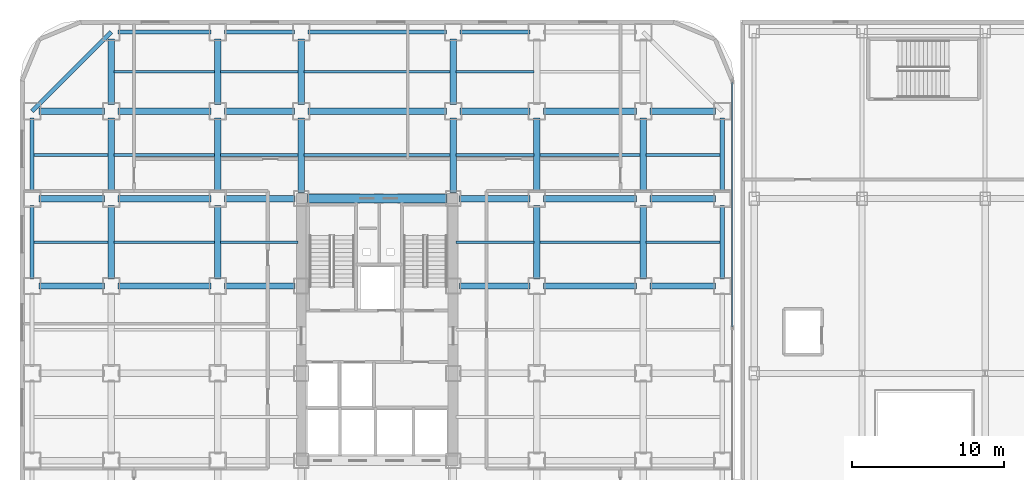
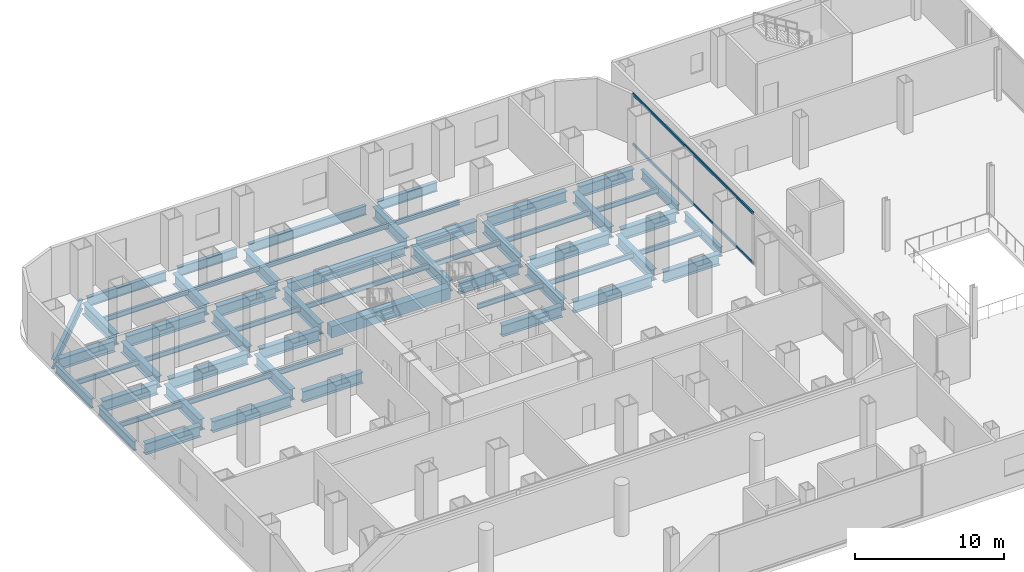
# One storey, part 13 of 26: 60 beams, 2 members, 1 element without a shape of its own.
"""IFC4 building model written with IfcOpenShell, lengths in metres."""

from ifc_helpers import new_model, si_unit, direction, frame, origin, origin_2d, place, context, subcontext, project, spatial, rectangle, hollow_rectangle, i_section, extrude, source, transform, mapped, material, layer, layer_set, material_profile, profile_set, type_object, element, aggregate, save


model = new_model("IFC4")

# Units and contexts
model_context = context("Model", 3, precision=1e-05, world=origin(), true_north=direction((0.0, 1.0)))
body_context = subcontext(model_context, "Body", "Model", "MODEL_VIEW")
ifc_project = project(units=[si_unit("LENGTHUNIT", "METRE"), si_unit("AREAUNIT", "SQUARE_METRE"), si_unit("VOLUMEUNIT", "CUBIC_METRE"), si_unit("PLANEANGLEUNIT", "RADIAN"), si_unit("MASSUNIT", "GRAM", prefix="KILO")], contexts=[model_context])

# Site, building, storey
site_placement = place(None, origin())
site = spatial("IfcSite", under=ifc_project, at=site_placement, CompositionType="ELEMENT")
building_placement = place(site_placement, origin())
building = spatial("IfcBuilding", under=site, at=building_placement, Name="Kolveth Station Tower", CompositionType="ELEMENT")
storey_placement = place(building_placement, frame((0.0, 0.0, 4.5)))
storey = spatial("IfcBuildingStorey", under=building, at=storey_placement, Name="L01", CompositionType="ELEMENT", Elevation=4.5)

# Beams
ifc_material_1 = material(Name="Steel S355", Category="steel")
ifc_material_profile_1 = material_profile(ifc_material_1, i_section(OverallWidth=0.26904296875, OverallDepth=0.77490234375, WebThickness=0.01708984375, FlangeThickness=0.0283203125, at=origin_2d()), Name="W760x220")
ifc_profile_set_1 = profile_set([ifc_material_profile_1], Name="Steel S355")
beam_type_1 = type_object("IfcBeamType", Name="Beam_SP1", PredefinedType="SPANDREL", material=ifc_profile_set_1)
shared_shape_1 = source(origin(), body_context, "Body", "SweptSolid", [
    extrude(i_section(OverallWidth=0.26904296875, OverallDepth=0.77490234375, WebThickness=0.01708984375, FlangeThickness=0.0283203125, at=origin_2d()), origin(), (0.0, 0.0, 1.0), 6.10009765625),
])
beam_1_placement = place(storey_placement, frame((6.449951171875, 39.699951171875, -0.70751953125), z_axis=(1.0, 0.0, 0.0), x_axis=(0.0, 1.0, 0.0)))
element("IfcBeam", 1, at=beam_1_placement, inside=storey, type_object=beam_type_1, Name="L01 Perimeter Spandrel BM-L01-PN-1", PredefinedType="SPANDREL", context=body_context, shape_type="MappedRepresentation", body=[
    mapped(shared_shape_1, transform((0.0, 0.0, 0.0), x_axis=(1.0, 0.0, 0.0), y_axis=(0.0, 1.0, 0.0), z_axis=(0.0, 0.0, 1.0), scale=1.0)),
])
shared_shape_2 = source(origin(), body_context, "Body", "SweptSolid", [
    extrude(i_section(OverallWidth=0.26904296875, OverallDepth=0.77490234375, WebThickness=0.01708984375, FlangeThickness=0.0283203125, at=origin_2d()), origin(), (0.0, 0.0, 1.0), 4.60009765625),
])
for number, where, z_axis, x_axis, name in (
    (2, (13.449951171875, 39.699951171875, -0.70751953125), (1.0, 0.0, 0.0), (0.0, 1.0, 0.0), "L01 Perimeter Spandrel BM-L01-PN-2"),
    (3, (28.949951171875, 39.699951171875, -0.70751953125), (1.0, 0.0, 0.0), (0.0, 1.0, 0.0), "L01 Perimeter Spandrel BM-L01-PN-4"),
):
    element("IfcBeam", number, at=place(storey_placement, frame(where, z_axis=z_axis, x_axis=x_axis)), inside=storey, type_object=beam_type_1, Name=name, PredefinedType="SPANDREL", context=body_context, shape_type="MappedRepresentation", body=[
        mapped(shared_shape_2, transform((0.0, 0.0, 0.0), x_axis=(1.0, 0.0, 0.0), y_axis=(0.0, 1.0, 0.0), z_axis=(0.0, 0.0, 1.0), scale=1.0)),
    ])
shared_shape_3 = source(origin(), body_context, "Body", "SweptSolid", [
    extrude(i_section(OverallWidth=0.26904296875, OverallDepth=0.77490234375, WebThickness=0.01708984375, FlangeThickness=0.0283203125, at=origin_2d()), origin(), (0.0, 0.0, 1.0), 9.10009765625),
])
beam_2_placement = place(storey_placement, frame((18.949951171875, 39.699951171875, -0.70751953125), z_axis=(1.0, 0.0, 0.0), x_axis=(0.0, 1.0, 0.0)))
element("IfcBeam", 4, at=beam_2_placement, inside=storey, type_object=beam_type_1, Name="L01 Perimeter Spandrel BM-L01-PN-3", PredefinedType="SPANDREL", context=body_context, shape_type="MappedRepresentation", body=[
    mapped(shared_shape_3, transform((0.0, 0.0, 0.0), x_axis=(1.0, 0.0, 0.0), y_axis=(0.0, 1.0, 0.0), z_axis=(0.0, 0.0, 1.0), scale=1.0)),
])
shared_shape_4 = source(origin(), body_context, "Body", "SweptSolid", [
    extrude(i_section(OverallWidth=0.26904296875, OverallDepth=0.77490234375, WebThickness=0.01708984375, FlangeThickness=0.0283203125, at=origin_2d()), origin(), (0.0, 0.0, 1.0), 4.85009765625),
])
for number, where, z_axis, x_axis, name in (
    (5, (0.800048828125, 23.449951171875, -0.70751953125), (0.0, 1.0, 0.0), (-1.0, 0.0, 0.0), "L01 Perimeter Spandrel BM-L01-PW-4"),
    (6, (0.800048828125, 29.199951171875, -0.70751953125), (0.0, 1.0, 0.0), (-1.0, 0.0, 0.0), "L01 Perimeter Spandrel BM-L01-PW-5"),
    (7, (46.199951171875, 23.449951171875, -0.70751953125), (0.0, 1.0, 0.0), (-1.0, 0.0, 0.0), "L01 Perimeter Spandrel BM-L01-PE-4"),
    (8, (46.199951171875, 29.199951171875, -0.70751953125), (0.0, 1.0, 0.0), (-1.0, 0.0, 0.0), "L01 Perimeter Spandrel BM-L01-PE-5"),
):
    element("IfcBeam", number, at=place(storey_placement, frame(where, z_axis=z_axis, x_axis=x_axis)), inside=storey, type_object=beam_type_1, Name=name, PredefinedType="SPANDREL", context=body_context, shape_type="MappedRepresentation", body=[
        mapped(shared_shape_4, transform((0.0, 0.0, 0.0), x_axis=(1.0, 0.0, 0.0), y_axis=(0.0, 1.0, 0.0), z_axis=(0.0, 0.0, 1.0), scale=1.0)),
    ])
shared_shape_5 = source(origin(), body_context, "Body", "SweptSolid", [
    extrude(i_section(OverallWidth=0.26904296875, OverallDepth=0.77490234375, WebThickness=0.01708984375, FlangeThickness=0.0283203125, at=origin_2d()), origin(), (0.0, 0.0, 1.0), 7.353759765625),
])
beam_3_placement = place(storey_placement, frame((6.0, 39.699951171875, -0.70751953125), z_axis=(-0.707106781187, -0.707106781187, 0.0), x_axis=(0.707106781187, -0.707106781187, 0.0)))
element("IfcBeam", 9, at=beam_3_placement, inside=storey, type_object=beam_type_1, Name="L01 Corner Edge Girder BM-L01-CNR-NW", PredefinedType="SPANDREL", context=body_context, shape_type="MappedRepresentation", body=[
    mapped(shared_shape_5, transform((0.0, 0.0, 0.0), x_axis=(1.0, 0.0, 0.0), y_axis=(0.0, 1.0, 0.0), z_axis=(0.0, 0.0, 1.0), scale=1.0)),
])
ifc_material_profile_2 = material_profile(ifc_material_1, i_section(OverallWidth=0.41796875, OverallDepth=0.912109375, WebThickness=0.019287109375, FlangeThickness=0.031982421875, at=origin_2d()), Name="W920x342")
ifc_profile_set_2 = profile_set([ifc_material_profile_2], Name="Steel S355")
beam_type_2 = type_object("IfcBeamType", Name="Beam_B1", PredefinedType="BEAM", material=ifc_profile_set_2)
shared_shape_6 = source(origin(), body_context, "Body", "SweptSolid", [
    extrude(i_section(OverallWidth=0.41796875, OverallDepth=0.912109375, WebThickness=0.019287109375, FlangeThickness=0.031982421875, at=origin_2d()), origin(), (0.0, 0.0, 1.0), 4.300048828125),
])
for number, where, z_axis, x_axis, name in (
    (10, (1.25, 23.0, -0.77587890625), (1.0, 0.0, 0.0), (0.0, 1.0, 0.0), "L01 Primary Girder BM-L01-GY230-1"),
    (11, (41.449951171875, 23.0, -0.77587890625), (1.0, 0.0, 0.0), (0.0, 1.0, 0.0), "L01 Primary Girder BM-L01-GY230-7"),
    (12, (1.25, 28.75, -0.77587890625), (1.0, 0.0, 0.0), (0.0, 1.0, 0.0), "L01 Primary Girder BM-L01-GY287-1"),
    (13, (41.449951171875, 28.75, -0.77587890625), (1.0, 0.0, 0.0), (0.0, 1.0, 0.0), "L01 Primary Girder BM-L01-GY287-7"),
    (14, (1.25, 34.5, -0.77587890625), (1.0, 0.0, 0.0), (0.0, 1.0, 0.0), "L01 Primary Girder BM-L01-GY345-1"),
    (15, (41.449951171875, 34.5, -0.77587890625), (1.0, 0.0, 0.0), (0.0, 1.0, 0.0), "L01 Primary Girder BM-L01-GY345-7"),
    (16, (6.0, 34.949951171875, -0.77587890625), (0.0, 1.0, 0.0), (-1.0, 0.0, 0.0), "L01 Primary Girder BM-L01-GX60-7"),
    (17, (13.0, 34.949951171875, -0.77587890625), (0.0, 1.0, 0.0), (-1.0, 0.0, 0.0), "L01 Primary Girder BM-L01-GX130-7"),
    (18, (18.5, 34.949951171875, -0.77587890625), (0.0, 1.0, 0.0), (-1.0, 0.0, 0.0), "L01 Primary Girder BM-L01-GX185-7"),
    (19, (28.5, 34.949951171875, -0.77587890625), (0.0, 1.0, 0.0), (-1.0, 0.0, 0.0), "L01 Primary Girder BM-L01-GX285-7"),
):
    element("IfcBeam", number, at=place(storey_placement, frame(where, z_axis=z_axis, x_axis=x_axis)), inside=storey, type_object=beam_type_2, Name=name, PredefinedType="BEAM", context=body_context, shape_type="MappedRepresentation", body=[
        mapped(shared_shape_6, transform((0.0, 0.0, 0.0), x_axis=(1.0, 0.0, 0.0), y_axis=(0.0, 1.0, 0.0), z_axis=(0.0, 0.0, 1.0), scale=1.0)),
    ])
shared_shape_7 = source(origin(), body_context, "Body", "SweptSolid", [
    extrude(i_section(OverallWidth=0.41796875, OverallDepth=0.912109375, WebThickness=0.019287109375, FlangeThickness=0.031982421875, at=origin_2d()), origin(), (0.0, 0.0, 1.0), 6.10009765625),
])
for number, where, z_axis, x_axis, name in (
    (20, (6.449951171875, 23.0, -0.77587890625), (1.0, 0.0, 0.0), (0.0, 1.0, 0.0), "L01 Primary Girder BM-L01-GY230-2"),
    (21, (34.449951171875, 23.0, -0.77587890625), (1.0, 0.0, 0.0), (0.0, 1.0, 0.0), "L01 Primary Girder BM-L01-GY230-6"),
    (22, (6.449951171875, 28.75, -0.77587890625), (1.0, 0.0, 0.0), (0.0, 1.0, 0.0), "L01 Primary Girder BM-L01-GY287-2"),
    (23, (34.449951171875, 28.75, -0.77587890625), (1.0, 0.0, 0.0), (0.0, 1.0, 0.0), "L01 Primary Girder BM-L01-GY287-6"),
    (24, (6.449951171875, 34.5, -0.77587890625), (1.0, 0.0, 0.0), (0.0, 1.0, 0.0), "L01 Primary Girder BM-L01-GY345-2"),
    (25, (34.449951171875, 34.5, -0.77587890625), (1.0, 0.0, 0.0), (0.0, 1.0, 0.0), "L01 Primary Girder BM-L01-GY345-6"),
):
    element("IfcBeam", number, at=place(storey_placement, frame(where, z_axis=z_axis, x_axis=x_axis)), inside=storey, type_object=beam_type_2, Name=name, PredefinedType="BEAM", context=body_context, shape_type="MappedRepresentation", body=[
        mapped(shared_shape_7, transform((0.0, 0.0, 0.0), x_axis=(1.0, 0.0, 0.0), y_axis=(0.0, 1.0, 0.0), z_axis=(0.0, 0.0, 1.0), scale=1.0)),
    ])
shared_shape_8 = source(origin(), body_context, "Body", "SweptSolid", [
    extrude(i_section(OverallWidth=0.41796875, OverallDepth=0.912109375, WebThickness=0.019287109375, FlangeThickness=0.031982421875, at=origin_2d()), origin(), (0.0, 0.0, 1.0), 4.60009765625),
])
for number, where, z_axis, x_axis, name in (
    (26, (13.449951171875, 34.5, -0.77587890625), (1.0, 0.0, 0.0), (0.0, 1.0, 0.0), "L01 Primary Girder BM-L01-GY345-3"),
    (27, (28.949951171875, 34.5, -0.77587890625), (1.0, 0.0, 0.0), (0.0, 1.0, 0.0), "L01 Primary Girder BM-L01-GY345-5"),
):
    element("IfcBeam", number, at=place(storey_placement, frame(where, z_axis=z_axis, x_axis=x_axis)), inside=storey, type_object=beam_type_2, Name=name, PredefinedType="BEAM", context=body_context, shape_type="MappedRepresentation", body=[
        mapped(shared_shape_8, transform((0.0, 0.0, 0.0), x_axis=(1.0, 0.0, 0.0), y_axis=(0.0, 1.0, 0.0), z_axis=(0.0, 0.0, 1.0), scale=1.0)),
    ])
shared_shape_9 = source(origin(), body_context, "Body", "SweptSolid", [
    extrude(i_section(OverallWidth=0.41796875, OverallDepth=0.912109375, WebThickness=0.019287109375, FlangeThickness=0.031982421875, at=origin_2d()), origin(), (0.0, 0.0, 1.0), 9.10009765625),
])
beam_4_placement = place(storey_placement, frame((18.949951171875, 34.5, -0.77587890625), z_axis=(1.0, 0.0, 0.0), x_axis=(0.0, 1.0, 0.0)))
element("IfcBeam", 28, at=beam_4_placement, inside=storey, type_object=beam_type_2, Name="L01 Primary Girder BM-L01-GY345-4", PredefinedType="BEAM", context=body_context, shape_type="MappedRepresentation", body=[
    mapped(shared_shape_9, transform((0.0, 0.0, 0.0), x_axis=(1.0, 0.0, 0.0), y_axis=(0.0, 1.0, 0.0), z_axis=(0.0, 0.0, 1.0), scale=1.0)),
])
shared_shape_10 = source(origin(), body_context, "Body", "SweptSolid", [
    extrude(i_section(OverallWidth=0.41796875, OverallDepth=0.912109375, WebThickness=0.019287109375, FlangeThickness=0.031982421875, at=origin_2d()), origin(), (0.0, 0.0, 1.0), 4.650146484375),
])
for number, where, z_axis, x_axis, name in (
    (29, (13.449951171875, 23.0, -0.77587890625), (1.0, 0.0, 0.0), (0.0, 1.0, 0.0), "L01 Primary Girder BM-L01-GY230-3"),
    (30, (28.89990234375, 23.0, -0.77587890625), (1.0, 0.0, 0.0), (0.0, 1.0, 0.0), "L01 Primary Girder BM-L01-GY230-5"),
    (31, (13.449951171875, 28.75, -0.77587890625), (1.0, 0.0, 0.0), (0.0, 1.0, 0.0), "L01 Primary Girder BM-L01-GY287-3"),
    (32, (28.89990234375, 28.75, -0.77587890625), (1.0, 0.0, 0.0), (0.0, 1.0, 0.0), "L01 Primary Girder BM-L01-GY287-5"),
):
    element("IfcBeam", number, at=place(storey_placement, frame(where, z_axis=z_axis, x_axis=x_axis)), inside=storey, type_object=beam_type_2, Name=name, PredefinedType="BEAM", context=body_context, shape_type="MappedRepresentation", body=[
        mapped(shared_shape_10, transform((0.0, 0.0, 0.0), x_axis=(1.0, 0.0, 0.0), y_axis=(0.0, 1.0, 0.0), z_axis=(0.0, 0.0, 1.0), scale=1.0)),
    ])
ifc_material_2 = material(Name="Concrete C60/75", Category="concrete")
ifc_material_profile_3 = material_profile(ifc_material_2, rectangle(XDim=0.60009765625, YDim=0.949951171875, at=origin_2d()), Name="RC-600x950")
ifc_profile_set_3 = profile_set([ifc_material_profile_3], Name="Concrete C60/75")
beam_type_3 = type_object("IfcBeamType", Name="Beam_CB1", PredefinedType="BEAM", material=ifc_profile_set_3)
shared_shape_11 = source(origin(), body_context, "Body", "SweptSolid", [
    extrude(rectangle(XDim=0.60009765625, YDim=0.949951171875, at=origin_2d()), origin(), (0.0, 0.0, 1.0), 9.2001953125),
])
beam_5_placement = place(storey_placement, frame((18.89990234375, 28.75, -0.794921875), z_axis=(1.0, 0.0, 0.0), x_axis=(0.0, 1.0, 0.0)))
element("IfcBeam", 33, at=beam_5_placement, inside=storey, type_object=beam_type_3, Name="L01 Core Coupling Beam BM-L01-CB-Y287", PredefinedType="BEAM", context=body_context, shape_type="MappedRepresentation", body=[
    mapped(shared_shape_11, transform((0.0, 0.0, 0.0), x_axis=(1.0, 0.0, 0.0), y_axis=(0.0, 1.0, 0.0), z_axis=(0.0, 0.0, 1.0), scale=1.0)),
])
shared_shape_12 = source(origin(), body_context, "Body", "SweptSolid", [
    extrude(i_section(OverallWidth=0.41796875, OverallDepth=0.912109375, WebThickness=0.019287109375, FlangeThickness=0.031982421875, at=origin_2d()), origin(), (0.0, 0.0, 1.0), 4.85009765625),
])
for number, where, z_axis, x_axis, name in (
    (34, (6.0, 23.449951171875, -0.77587890625), (0.0, 1.0, 0.0), (-1.0, 0.0, 0.0), "L01 Primary Girder BM-L01-GX60-5"),
    (35, (6.0, 29.199951171875, -0.77587890625), (0.0, 1.0, 0.0), (-1.0, 0.0, 0.0), "L01 Primary Girder BM-L01-GX60-6"),
    (36, (13.0, 23.449951171875, -0.77587890625), (0.0, 1.0, 0.0), (-1.0, 0.0, 0.0), "L01 Primary Girder BM-L01-GX130-5"),
    (37, (13.0, 29.199951171875, -0.77587890625), (0.0, 1.0, 0.0), (-1.0, 0.0, 0.0), "L01 Primary Girder BM-L01-GX130-6"),
    (38, (34.0, 23.449951171875, -0.77587890625), (0.0, 1.0, 0.0), (-1.0, 0.0, 0.0), "L01 Primary Girder BM-L01-GX340-5"),
    (39, (34.0, 29.199951171875, -0.77587890625), (0.0, 1.0, 0.0), (-1.0, 0.0, 0.0), "L01 Primary Girder BM-L01-GX340-6"),
    (40, (41.0, 23.449951171875, -0.77587890625), (0.0, 1.0, 0.0), (-1.0, 0.0, 0.0), "L01 Primary Girder BM-L01-GX410-5"),
    (41, (41.0, 29.199951171875, -0.77587890625), (0.0, 1.0, 0.0), (-1.0, 0.0, 0.0), "L01 Primary Girder BM-L01-GX410-6"),
):
    element("IfcBeam", number, at=place(storey_placement, frame(where, z_axis=z_axis, x_axis=x_axis)), inside=storey, type_object=beam_type_2, Name=name, PredefinedType="BEAM", context=body_context, shape_type="MappedRepresentation", body=[
        mapped(shared_shape_12, transform((0.0, 0.0, 0.0), x_axis=(1.0, 0.0, 0.0), y_axis=(0.0, 1.0, 0.0), z_axis=(0.0, 0.0, 1.0), scale=1.0)),
    ])
shared_shape_13 = source(origin(), body_context, "Body", "SweptSolid", [
    extrude(i_section(OverallWidth=0.41796875, OverallDepth=0.912109375, WebThickness=0.019287109375, FlangeThickness=0.031982421875, at=origin_2d()), origin(), (0.0, 0.0, 1.0), 4.900146484375),
])
for number, where, z_axis, x_axis, name in (
    (42, (18.5, 29.14990234375, -0.77587890625), (0.0, 1.0, 0.0), (-1.0, 0.0, 0.0), "L01 Primary Girder BM-L01-GX185-6"),
    (43, (28.5, 29.14990234375, -0.77587890625), (0.0, 1.0, 0.0), (-1.0, 0.0, 0.0), "L01 Primary Girder BM-L01-GX285-6"),
):
    element("IfcBeam", number, at=place(storey_placement, frame(where, z_axis=z_axis, x_axis=x_axis)), inside=storey, type_object=beam_type_2, Name=name, PredefinedType="BEAM", context=body_context, shape_type="MappedRepresentation", body=[
        mapped(shared_shape_13, transform((0.0, 0.0, 0.0), x_axis=(1.0, 0.0, 0.0), y_axis=(0.0, 1.0, 0.0), z_axis=(0.0, 0.0, 1.0), scale=1.0)),
    ])
ifc_material_profile_4 = material_profile(ifc_material_1, i_section(OverallWidth=0.177978515625, OverallDepth=0.406982421875, WebThickness=0.0078125, FlangeThickness=0.0126953125, at=origin_2d()), Name="W410x60")
ifc_profile_set_4 = profile_set([ifc_material_profile_4], Name="Steel S355")
beam_type_4 = type_object("IfcBeamType", Name="Beam_J1", PredefinedType="JOIST", material=ifc_profile_set_4)
shared_shape_14 = source(origin(), body_context, "Body", "SweptSolid", [
    extrude(i_section(OverallWidth=0.177978515625, OverallDepth=0.406982421875, WebThickness=0.0078125, FlangeThickness=0.0126953125, at=origin_2d()), origin(), (0.0, 0.0, 1.0), 4.872314453125),
])
for number, where, z_axis, x_axis, name in (
    (44, (0.9326171875, 25.875, -0.5234375), (1.0, 0.0, 0.0), (0.0, 1.0, 0.0), "L01 Secondary Joist JST-L01-1-5"),
    (45, (0.9326171875, 31.625, -0.5234375), (1.0, 0.0, 0.0), (0.0, 1.0, 0.0), "L01 Secondary Joist JST-L01-1-6"),
    (46, (41.195068359375, 25.875, -0.5234375), (1.0, 0.0, 0.0), (0.0, 1.0, 0.0), "L01 Secondary Joist JST-L01-7-5"),
    (47, (41.195068359375, 31.625, -0.5234375), (1.0, 0.0, 0.0), (0.0, 1.0, 0.0), "L01 Secondary Joist JST-L01-7-6"),
):
    element("IfcBeam", number, at=place(storey_placement, frame(where, z_axis=z_axis, x_axis=x_axis)), inside=storey, type_object=beam_type_4, Name=name, PredefinedType="JOIST", context=body_context, shape_type="MappedRepresentation", body=[
        mapped(shared_shape_14, transform((0.0, 0.0, 0.0), x_axis=(1.0, 0.0, 0.0), y_axis=(0.0, 1.0, 0.0), z_axis=(0.0, 0.0, 1.0), scale=1.0)),
    ])
shared_shape_15 = source(origin(), body_context, "Body", "SweptSolid", [
    extrude(i_section(OverallWidth=0.177978515625, OverallDepth=0.406982421875, WebThickness=0.0078125, FlangeThickness=0.0126953125, at=origin_2d()), origin(), (0.0, 0.0, 1.0), 6.60986328125),
])
for number, where, z_axis, x_axis, name in (
    (48, (6.195068359375, 25.875, -0.5234375), (1.0, 0.0, 0.0), (0.0, 1.0, 0.0), "L01 Secondary Joist JST-L01-2-5"),
    (49, (6.195068359375, 31.625, -0.5234375), (1.0, 0.0, 0.0), (0.0, 1.0, 0.0), "L01 Secondary Joist JST-L01-2-6"),
    (50, (6.195068359375, 37.10009765625, -0.5234375), (1.0, 0.0, 0.0), (0.0, 1.0, 0.0), "L01 Secondary Joist JST-L01-2-7"),
    (51, (34.195068359375, 25.875, -0.5234375), (1.0, 0.0, 0.0), (0.0, 1.0, 0.0), "L01 Secondary Joist JST-L01-6-5"),
    (52, (34.195068359375, 31.625, -0.5234375), (1.0, 0.0, 0.0), (0.0, 1.0, 0.0), "L01 Secondary Joist JST-L01-6-6"),
):
    element("IfcBeam", number, at=place(storey_placement, frame(where, z_axis=z_axis, x_axis=x_axis)), inside=storey, type_object=beam_type_4, Name=name, PredefinedType="JOIST", context=body_context, shape_type="MappedRepresentation", body=[
        mapped(shared_shape_15, transform((0.0, 0.0, 0.0), x_axis=(1.0, 0.0, 0.0), y_axis=(0.0, 1.0, 0.0), z_axis=(0.0, 0.0, 1.0), scale=1.0)),
    ])
shared_shape_16 = source(origin(), body_context, "Body", "SweptSolid", [
    extrude(i_section(OverallWidth=0.177978515625, OverallDepth=0.406982421875, WebThickness=0.0078125, FlangeThickness=0.0126953125, at=origin_2d()), origin(), (0.0, 0.0, 1.0), 5.10986328125),
])
for number, where, z_axis, x_axis, name in (
    (53, (13.195068359375, 25.875, -0.5234375), (1.0, 0.0, 0.0), (0.0, 1.0, 0.0), "L01 Secondary Joist JST-L01-3-5"),
    (54, (13.195068359375, 31.625, -0.5234375), (1.0, 0.0, 0.0), (0.0, 1.0, 0.0), "L01 Secondary Joist JST-L01-3-6"),
    (55, (13.195068359375, 37.10009765625, -0.5234375), (1.0, 0.0, 0.0), (0.0, 1.0, 0.0), "L01 Secondary Joist JST-L01-3-7"),
    (56, (28.695068359375, 25.875, -0.5234375), (1.0, 0.0, 0.0), (0.0, 1.0, 0.0), "L01 Secondary Joist JST-L01-5-5"),
    (57, (28.695068359375, 31.625, -0.5234375), (1.0, 0.0, 0.0), (0.0, 1.0, 0.0), "L01 Secondary Joist JST-L01-5-6"),
    (58, (28.695068359375, 37.10009765625, -0.5234375), (1.0, 0.0, 0.0), (0.0, 1.0, 0.0), "L01 Secondary Joist JST-L01-5-7"),
):
    element("IfcBeam", number, at=place(storey_placement, frame(where, z_axis=z_axis, x_axis=x_axis)), inside=storey, type_object=beam_type_4, Name=name, PredefinedType="JOIST", context=body_context, shape_type="MappedRepresentation", body=[
        mapped(shared_shape_16, transform((0.0, 0.0, 0.0), x_axis=(1.0, 0.0, 0.0), y_axis=(0.0, 1.0, 0.0), z_axis=(0.0, 0.0, 1.0), scale=1.0)),
    ])
shared_shape_17 = source(origin(), body_context, "Body", "SweptSolid", [
    extrude(i_section(OverallWidth=0.177978515625, OverallDepth=0.406982421875, WebThickness=0.0078125, FlangeThickness=0.0126953125, at=origin_2d()), origin(), (0.0, 0.0, 1.0), 9.60986328125),
])
for number, where, z_axis, x_axis, name in (
    (59, (18.695068359375, 31.625, -0.5234375), (1.0, 0.0, 0.0), (0.0, 1.0, 0.0), "L01 Secondary Joist JST-L01-4-6"),
    (60, (18.695068359375, 37.10009765625, -0.5234375), (1.0, 0.0, 0.0), (0.0, 1.0, 0.0), "L01 Secondary Joist JST-L01-4-7"),
):
    element("IfcBeam", number, at=place(storey_placement, frame(where, z_axis=z_axis, x_axis=x_axis)), inside=storey, type_object=beam_type_4, Name=name, PredefinedType="JOIST", context=body_context, shape_type="MappedRepresentation", body=[
        mapped(shared_shape_17, transform((0.0, 0.0, 0.0), x_axis=(1.0, 0.0, 0.0), y_axis=(0.0, 1.0, 0.0), z_axis=(0.0, 0.0, 1.0), scale=1.0)),
    ])

# Curtain wall, members
ifc_material_3 = material(Name="Black anodized aluminium 6063-T6 and clear station glass", Category="aluminium")
ifc_layer = layer(ifc_material_3, 0.239990234375)
ifc_layer_set = layer_set([ifc_layer], Name="Black anodized aluminium 6063-T6 and clear station glass")
curtain_wall_type = type_object("IfcCurtainWallType", Name="CurtainWall_CW-ST", PredefinedType="NOTDEFINED", material=ifc_layer_set)
curtain_wall_placement = place(storey_placement, origin())
curtain_wall = element("IfcCurtainWall", 61, at=curtain_wall_placement, inside=storey, type_object=curtain_wall_type, Name="L01 Tower Podium East Storefront Curtain Wall", PredefinedType="NOTDEFINED")
ifc_material_4 = material(Name="Black anodized aluminium 6063-T6", Category="aluminium")
ifc_material_profile_5 = material_profile(ifc_material_4, hollow_rectangle(XDim=0.094970703125, YDim=0.219970703125, WallThickness=0.0048828125, at=origin_2d()), Name="ALU-95x220x5")
ifc_profile_set_5 = profile_set([ifc_material_profile_5], Name="Black anodized aluminium 6063-T6")
member_type = type_object("IfcMemberType", Name="Transom_TR-ST", PredefinedType="USERDEFINED", material=ifc_profile_set_5)
shared_shape_18 = source(origin(), body_context, "Body", "SweptSolid", [
    extrude(hollow_rectangle(XDim=0.094970703125, YDim=0.219970703125, WallThickness=0.0048828125, at=origin_2d()), origin(), (0.0, 0.0, 1.0), 16.099853515625),
])
member_1_placement = place(storey_placement, frame((46.860107421875, 20.300048828125, 0.047607421875), z_axis=(0.0, 1.0, 0.0), x_axis=(-1.0, 0.0, 0.0)))
member_1 = element("IfcMember", 62, at=member_1_placement, type_object=member_type, Name="CW-ST transom 2.1", ObjectType="TRANSOM", PredefinedType="USERDEFINED", context=body_context, shape_type="MappedRepresentation", body=[
    mapped(shared_shape_18, transform((0.0, 0.0, 0.0), x_axis=(1.0, 0.0, 0.0), y_axis=(0.0, 1.0, 0.0), z_axis=(0.0, 0.0, 1.0), scale=1.0)),
])
member_2_placement = place(storey_placement, frame((46.860107421875, 20.300048828125, 4.132568359375), z_axis=(0.0, 1.0, 0.0), x_axis=(-1.0, 0.0, 0.0)))
member_2 = element("IfcMember", 63, at=member_2_placement, type_object=member_type, Name="CW-ST transom 2.2", ObjectType="TRANSOM", PredefinedType="USERDEFINED", context=body_context, shape_type="MappedRepresentation", body=[
    mapped(shared_shape_18, transform((0.0, 0.0, 0.0), x_axis=(1.0, 0.0, 0.0), y_axis=(0.0, 1.0, 0.0), z_axis=(0.0, 0.0, 1.0), scale=1.0)),
])
aggregate(curtain_wall, [member_1, member_2])

save(model, "model.ifc")
